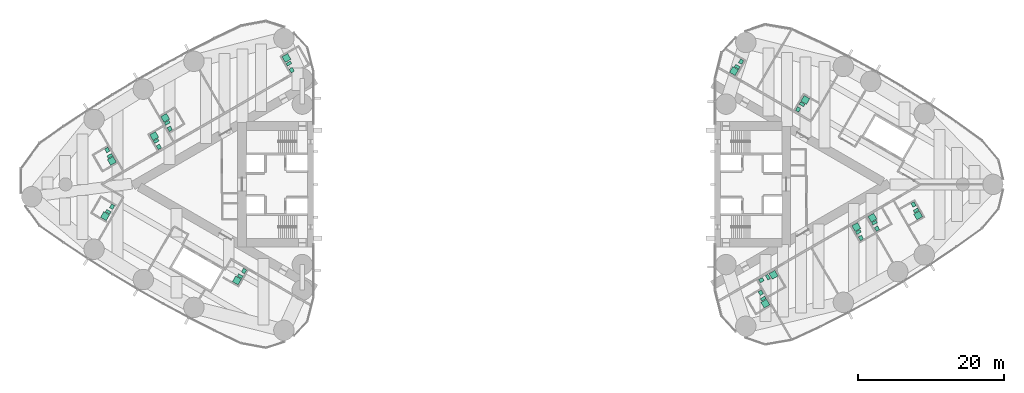
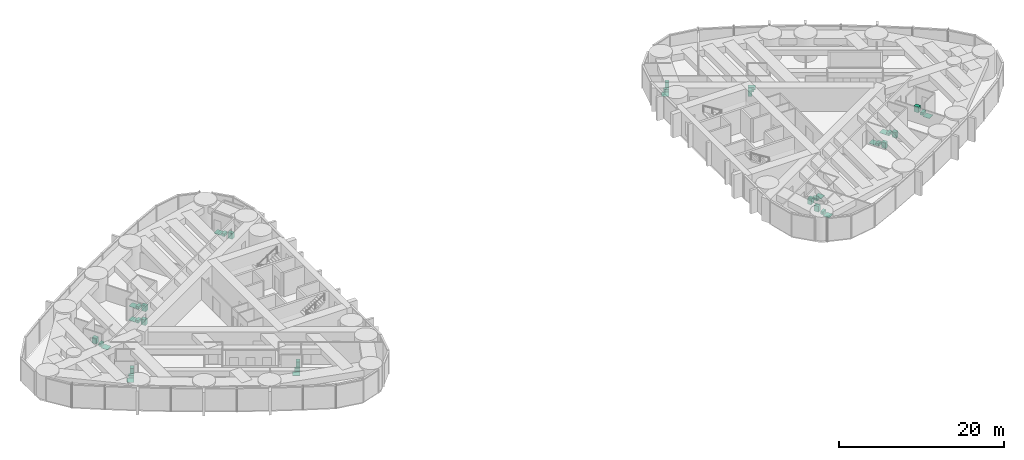
# One storey, part 19 of 19: 17 sanitary terminals.
"""IFC4 building model written with IfcOpenShell, lengths in metres."""

from ifc_helpers import new_model, si_unit, direction, frame, origin, origin_2d, place, context, subcontext, project, spatial, rectangle, extrude, material, type_object, element, save


model = new_model("IFC4")

# Units and contexts
model_context = context("Model", 3, precision=1e-05, world=origin(), true_north=direction((0.0, 1.0)))
body_context = subcontext(model_context, "Body", "Model", "MODEL_VIEW")
ifc_project = project(units=[si_unit("LENGTHUNIT", "METRE"), si_unit("AREAUNIT", "SQUARE_METRE"), si_unit("VOLUMEUNIT", "CUBIC_METRE"), si_unit("PLANEANGLEUNIT", "RADIAN"), si_unit("MASSUNIT", "GRAM", prefix="KILO")], contexts=[model_context])

# Site, building, storey
site_placement = place(None, origin())
site = spatial("IfcSite", under=ifc_project, at=site_placement, CompositionType="ELEMENT")
building_placement = place(site_placement, origin())
building = spatial("IfcBuilding", under=site, at=building_placement, Name="Lancet Gate Hotel", CompositionType="ELEMENT")
storey_placement = place(building_placement, frame((0.0, 0.0, 170.300048828125)))
storey = spatial("IfcBuildingStorey", under=building, at=storey_placement, Name="L45", CompositionType="ELEMENT", Elevation=170.300048828125)

# Sanitary terminals
ifc_material_1 = material(Name="Vitreous china sanitary ware")
sanitary_terminal_type_1 = type_object("IfcSanitaryTerminalType", Name="En-suite sanitary set (shower, WC, basin)", PredefinedType="USERDEFINED", material=ifc_material_1)
sanitary_terminal_1_placement = place(storey_placement, frame((-47.835205078125, 9.1181640625, 0.0), z_axis=(0.0, 0.0, 1.0), x_axis=(1.0, 0.0, 0.0)))
element("IfcSanitaryTerminal", 1, at=sanitary_terminal_1_placement, inside=storey, type_object=sanitary_terminal_type_1, Name="En-suite sanitary set (shower, WC, basin) 4502", ObjectType="EN-SUITE SANITARY SET", PredefinedType="USERDEFINED", context=body_context, shape_type="SweptSolid", body=[
    extrude(rectangle(XDim=0.89990234375, YDim=0.89990234375, at=origin_2d()), frame((0.0, 0.0, 0.0), z_axis=(0.0, 0.0, 1.0), x_axis=(-0.5, 0.866025403784, 0.0)), (0.0, 0.0, 1.0), 0.050048828125),
    extrude(rectangle(XDim=0.39990234375, YDim=0.699951171875, at=origin_2d()), frame((0.2783203125, -0.682373046875, 0.0), z_axis=(0.0, 0.0, 1.0), x_axis=(-0.5, 0.866025403784, 0.0)), (0.0, 0.0, 1.0), 0.39990234375),
    extrude(rectangle(XDim=0.60009765625, YDim=0.5, at=origin_2d()), frame((0.6318359375, -1.494384765625, 0.0), z_axis=(0.0, 0.0, 1.0), x_axis=(-0.5, 0.866025403784, 0.0)), (0.0, 0.0, 1.0), 0.85009765625),
])
sanitary_terminal_2_placement = place(storey_placement, frame((-49.343505859375, 6.630615234375, 0.0), z_axis=(0.0, 0.0, 1.0), x_axis=(1.0, 0.0, 0.0)))
element("IfcSanitaryTerminal", 2, at=sanitary_terminal_2_placement, inside=storey, type_object=sanitary_terminal_type_1, Name="En-suite sanitary set (shower, WC, basin) 4503", ObjectType="EN-SUITE SANITARY SET", PredefinedType="USERDEFINED", context=body_context, shape_type="SweptSolid", body=[
    extrude(rectangle(XDim=0.89990234375, YDim=0.89990234375, at=origin_2d()), frame((0.0, 0.0, 0.0), z_axis=(0.0, 0.0, 1.0), x_axis=(-0.5, 0.866025403784, 0.0)), (0.0, 0.0, 1.0), 0.050048828125),
    extrude(rectangle(XDim=0.39990234375, YDim=0.699951171875, at=origin_2d()), frame((0.2783203125, -0.68212890625, 0.0), z_axis=(0.0, 0.0, 1.0), x_axis=(-0.5, 0.866025403784, 0.0)), (0.0, 0.0, 1.0), 0.39990234375),
    extrude(rectangle(XDim=0.60009765625, YDim=0.5, at=origin_2d()), frame((0.631591796875, -1.494140625, 0.0), z_axis=(0.0, 0.0, 1.0), x_axis=(-0.5, 0.866025403784, 0.0)), (0.0, 0.0, 1.0), 0.85009765625),
])
sanitary_terminal_3_placement = place(storey_placement, frame((-55.1455078125, 3.211669921875, 0.0), z_axis=(0.0, 0.0, 1.0), x_axis=(1.0, 0.0, 0.0)))
element("IfcSanitaryTerminal", 3, at=sanitary_terminal_3_placement, inside=storey, type_object=sanitary_terminal_type_1, Name="En-suite sanitary set (shower, WC, basin) 4504", ObjectType="EN-SUITE SANITARY SET", PredefinedType="USERDEFINED", context=body_context, shape_type="SweptSolid", body=[
    extrude(rectangle(XDim=0.89990234375, YDim=0.89990234375, at=origin_2d()), frame((0.0, 0.0, 0.0), z_axis=(0.0, 0.0, 1.0), x_axis=(0.5, -0.866025403784, 0.0)), (0.0, 0.0, 1.0), 0.050048828125),
    extrude(rectangle(XDim=0.39990234375, YDim=0.699951171875, at=origin_2d()), frame((-0.278564453125, 0.68212890625, 0.0), z_axis=(0.0, 0.0, 1.0), x_axis=(0.5, -0.866025403784, 0.0)), (0.0, 0.0, 1.0), 0.39990234375),
    extrude(rectangle(XDim=0.60009765625, YDim=0.5, at=origin_2d()), frame((-0.6318359375, 1.494140625, 0.0), z_axis=(0.0, 0.0, 1.0), x_axis=(0.5, -0.866025403784, 0.0)), (0.0, 0.0, 1.0), 0.85009765625),
])
sanitary_terminal_4_placement = place(storey_placement, frame((-56.092041015625, -4.35107421875, 0.0), z_axis=(0.0, 0.0, 1.0), x_axis=(1.0, 0.0, 0.0)))
element("IfcSanitaryTerminal", 4, at=sanitary_terminal_4_placement, inside=storey, type_object=sanitary_terminal_type_1, Name="En-suite sanitary set (shower, WC, basin) 4505", ObjectType="EN-SUITE SANITARY SET", PredefinedType="USERDEFINED", context=body_context, shape_type="SweptSolid", body=[
    extrude(rectangle(XDim=0.89990234375, YDim=0.89990234375, at=origin_2d()), frame((0.0, 0.0, 0.0), z_axis=(0.0, 0.0, 1.0), x_axis=(-0.5, -0.866025403784, 0.0)), (0.0, 0.0, 1.0), 0.050048828125),
    extrude(rectangle(XDim=0.39990234375, YDim=0.699951171875, at=origin_2d()), frame((0.45166015625, 0.582275390625, 0.0), z_axis=(0.0, 0.0, 1.0), x_axis=(-0.5, -0.866025403784, 0.0)), (0.0, 0.0, 1.0), 0.39990234375),
    extrude(rectangle(XDim=0.60009765625, YDim=0.5, at=origin_2d()), frame((0.97802734375, 1.29443359375, 0.0), z_axis=(0.0, 0.0, 1.0), x_axis=(-0.5, -0.866025403784, 0.0)), (0.0, 0.0, 1.0), 0.85009765625),
])
sanitary_terminal_5_placement = place(storey_placement, frame((-38.01171875, -13.173095703125, 0.0), z_axis=(0.0, 0.0, 1.0), x_axis=(1.0, 0.0, 0.0)))
element("IfcSanitaryTerminal", 5, at=sanitary_terminal_5_placement, inside=storey, type_object=sanitary_terminal_type_1, Name="En-suite sanitary set (shower, WC, basin) 4508", ObjectType="EN-SUITE SANITARY SET", PredefinedType="USERDEFINED", context=body_context, shape_type="SweptSolid", body=[
    extrude(rectangle(XDim=0.89990234375, YDim=0.89990234375, at=origin_2d()), frame((0.0, 0.0, 0.0), z_axis=(0.0, 0.0, 1.0), x_axis=(-0.5, -0.866025403784, 0.0)), (0.0, 0.0, 1.0), 0.050048828125),
    extrude(rectangle(XDim=0.39990234375, YDim=0.699951171875, at=origin_2d()), frame((0.45166015625, 0.58203125, 0.0), z_axis=(0.0, 0.0, 1.0), x_axis=(-0.5, -0.866025403784, 0.0)), (0.0, 0.0, 1.0), 0.39990234375),
    extrude(rectangle(XDim=0.60009765625, YDim=0.5, at=origin_2d()), frame((0.978271484375, 1.294189453125, 0.0), z_axis=(0.0, 0.0, 1.0), x_axis=(-0.5, -0.866025403784, 0.0)), (0.0, 0.0, 1.0), 0.85009765625),
])
sanitary_terminal_6_placement = place(storey_placement, frame((34.43994140625, -16.351806640625, 0.0), z_axis=(0.0, 0.0, 1.0), x_axis=(1.0, 0.0, 0.0)))
element("IfcSanitaryTerminal", 6, at=sanitary_terminal_6_placement, inside=storey, type_object=sanitary_terminal_type_1, Name="En-suite sanitary set (shower, WC, basin) 4551", ObjectType="EN-SUITE SANITARY SET", PredefinedType="USERDEFINED", context=body_context, shape_type="SweptSolid", body=[
    extrude(rectangle(XDim=0.89990234375, YDim=0.89990234375, at=origin_2d()), frame((0.0, 0.0, 0.0), z_axis=(0.0, 0.0, 1.0), x_axis=(0.5, -0.866025403784, 0.0)), (0.0, 0.0, 1.0), 0.050048828125),
    extrude(rectangle(XDim=0.39990234375, YDim=0.699951171875, at=origin_2d()), frame((-0.2783203125, 0.68212890625, 0.0), z_axis=(0.0, 0.0, 1.0), x_axis=(0.5, -0.866025403784, 0.0)), (0.0, 0.0, 1.0), 0.39990234375),
    extrude(rectangle(XDim=0.60009765625, YDim=0.5, at=origin_2d()), frame((-0.6318359375, 1.494140625, 0.0), z_axis=(0.0, 0.0, 1.0), x_axis=(0.5, -0.866025403784, 0.0)), (0.0, 0.0, 1.0), 0.85009765625),
])
sanitary_terminal_7_placement = place(storey_placement, frame((46.909912109375, -5.849853515625, 0.0), z_axis=(0.0, 0.0, 1.0), x_axis=(1.0, 0.0, 0.0)))
element("IfcSanitaryTerminal", 7, at=sanitary_terminal_7_placement, inside=storey, type_object=sanitary_terminal_type_1, Name="En-suite sanitary set (shower, WC, basin) 4554", ObjectType="EN-SUITE SANITARY SET", PredefinedType="USERDEFINED", context=body_context, shape_type="SweptSolid", body=[
    extrude(rectangle(XDim=0.89990234375, YDim=0.89990234375, at=origin_2d()), frame((0.0, 0.0, 0.0), z_axis=(0.0, 0.0, 1.0), x_axis=(-0.5, 0.866025403784, 0.0)), (0.0, 0.0, 1.0), 0.050048828125),
    extrude(rectangle(XDim=0.39990234375, YDim=0.699951171875, at=origin_2d()), frame((0.2783203125, -0.68212890625, 0.0), z_axis=(0.0, 0.0, 1.0), x_axis=(-0.5, 0.866025403784, 0.0)), (0.0, 0.0, 1.0), 0.39990234375),
    extrude(rectangle(XDim=0.60009765625, YDim=0.5, at=origin_2d()), frame((0.6318359375, -1.494384765625, 0.0), z_axis=(0.0, 0.0, 1.0), x_axis=(-0.5, 0.866025403784, 0.0)), (0.0, 0.0, 1.0), 0.85009765625),
])
sanitary_terminal_8_placement = place(storey_placement, frame((49.118408203125, -4.574951171875, 0.0), z_axis=(0.0, 0.0, 1.0), x_axis=(1.0, 0.0, 0.0)))
element("IfcSanitaryTerminal", 8, at=sanitary_terminal_8_placement, inside=storey, type_object=sanitary_terminal_type_1, Name="En-suite sanitary set (shower, WC, basin) 4556", ObjectType="EN-SUITE SANITARY SET", PredefinedType="USERDEFINED", context=body_context, shape_type="SweptSolid", body=[
    extrude(rectangle(XDim=0.89990234375, YDim=0.89990234375, at=origin_2d()), frame((0.0, 0.0, 0.0), z_axis=(0.0, 0.0, 1.0), x_axis=(-0.5, 0.866025403784, 0.0)), (0.0, 0.0, 1.0), 0.050048828125),
    extrude(rectangle(XDim=0.39990234375, YDim=0.699951171875, at=origin_2d()), frame((0.2783203125, -0.68212890625, 0.0), z_axis=(0.0, 0.0, 1.0), x_axis=(-0.5, 0.866025403784, 0.0)), (0.0, 0.0, 1.0), 0.39990234375),
    extrude(rectangle(XDim=0.60009765625, YDim=0.5, at=origin_2d()), frame((0.631591796875, -1.494140625, 0.0), z_axis=(0.0, 0.0, 1.0), x_axis=(-0.5, 0.866025403784, 0.0)), (0.0, 0.0, 1.0), 0.85009765625),
])
sanitary_terminal_9_placement = place(storey_placement, frame((55.39013671875, -4.25634765625, 0.0), z_axis=(0.0, 0.0, 1.0), x_axis=(1.0, 0.0, 0.0)))
element("IfcSanitaryTerminal", 9, at=sanitary_terminal_9_placement, inside=storey, type_object=sanitary_terminal_type_1, Name="En-suite sanitary set (shower, WC, basin) 4557", ObjectType="EN-SUITE SANITARY SET", PredefinedType="USERDEFINED", context=body_context, shape_type="SweptSolid", body=[
    extrude(rectangle(XDim=0.89990234375, YDim=0.89990234375, at=origin_2d()), frame((0.0, 0.0, 0.0), z_axis=(0.0, 0.0, 1.0), x_axis=(0.5, -0.866025403784, 0.0)), (0.0, 0.0, 1.0), 0.050048828125),
    extrude(rectangle(XDim=0.39990234375, YDim=0.699951171875, at=origin_2d()), frame((-0.2783203125, 0.68212890625, 0.0), z_axis=(0.0, 0.0, 1.0), x_axis=(0.5, -0.866025403784, 0.0)), (0.0, 0.0, 1.0), 0.39990234375),
    extrude(rectangle(XDim=0.60009765625, YDim=0.5, at=origin_2d()), frame((-0.6318359375, 1.494384765625, 0.0), z_axis=(0.0, 0.0, 1.0), x_axis=(0.5, -0.866025403784, 0.0)), (0.0, 0.0, 1.0), 0.85009765625),
])
sanitary_terminal_10_placement = place(storey_placement, frame((39.91796875, 11.572509765625, 0.0), z_axis=(0.0, 0.0, 1.0), x_axis=(1.0, 0.0, 0.0)))
element("IfcSanitaryTerminal", 10, at=sanitary_terminal_10_placement, inside=storey, type_object=sanitary_terminal_type_1, Name="En-suite sanitary set (shower, WC, basin) 4562", ObjectType="EN-SUITE SANITARY SET", PredefinedType="USERDEFINED", context=body_context, shape_type="SweptSolid", body=[
    extrude(rectangle(XDim=0.89990234375, YDim=0.89990234375, at=origin_2d()), frame((0.0, 0.0, 0.0), z_axis=(0.0, 0.0, 1.0), x_axis=(0.5, 0.866025403784, 0.0)), (0.0, 0.0, 1.0), 0.050048828125),
    extrude(rectangle(XDim=0.39990234375, YDim=0.699951171875, at=origin_2d()), frame((-0.45166015625, -0.582275390625, 0.0), z_axis=(0.0, 0.0, 1.0), x_axis=(0.5, 0.866025403784, 0.0)), (0.0, 0.0, 1.0), 0.39990234375),
    extrude(rectangle(XDim=0.60009765625, YDim=0.5, at=origin_2d()), frame((-0.978271484375, -1.294189453125, 0.0), z_axis=(0.0, 0.0, 1.0), x_axis=(0.5, 0.866025403784, 0.0)), (0.0, 0.0, 1.0), 0.85009765625),
])
sanitary_terminal_11_placement = place(storey_placement, frame((30.13916015625, 15.532470703125, 0.0), z_axis=(0.0, 0.0, 1.0), x_axis=(1.0, 0.0, 0.0)))
element("IfcSanitaryTerminal", 11, at=sanitary_terminal_11_placement, inside=storey, type_object=sanitary_terminal_type_1, Name="En-suite sanitary set (shower, WC, basin) 4564", ObjectType="EN-SUITE SANITARY SET", PredefinedType="USERDEFINED", context=body_context, shape_type="SweptSolid", body=[
    extrude(rectangle(XDim=0.89990234375, YDim=0.89990234375, at=origin_2d()), frame((0.0, 0.0, 0.0), z_axis=(0.0, 0.0, 1.0), x_axis=(-0.5, -0.866025403784, 0.0)), (0.0, 0.0, 1.0), 0.050048828125),
    extrude(rectangle(XDim=0.39990234375, YDim=0.699951171875, at=origin_2d()), frame((0.45166015625, 0.582275390625, 0.0), z_axis=(0.0, 0.0, 1.0), x_axis=(-0.5, -0.866025403784, 0.0)), (0.0, 0.0, 1.0), 0.39990234375),
    extrude(rectangle(XDim=0.60009765625, YDim=0.5, at=origin_2d()), frame((0.97802734375, 1.29443359375, 0.0), z_axis=(0.0, 0.0, 1.0), x_axis=(-0.5, -0.866025403784, 0.0)), (0.0, 0.0, 1.0), 0.85009765625),
])
ifc_material_2 = material(Name="Stone resin shower tray", Category="masonry")
sanitary_terminal_type_2 = type_object("IfcSanitaryTerminalType", Name="Shower tray 900", PredefinedType="SHOWER", material=ifc_material_2)
for number, where, z_axis, x_axis, name in (
    (12, (-31.216064453125, 17.327392578125, 0.0), (0.0, 0.0, 1.0), (-0.5, 0.866025403784, 0.0), "Shower tray 900 4501"),
    (13, (35.564697265625, -12.39990234375, 0.0), (0.0, 0.0, 1.0), (0.866025403784, 0.5, 0.0), "Shower tray 900 4552"),
):
    element("IfcSanitaryTerminal", number, at=place(storey_placement, frame(where, z_axis=z_axis, x_axis=x_axis)), inside=storey, type_object=sanitary_terminal_type_2, Name=name, PredefinedType="SHOWER", context=body_context, shape_type="SweptSolid", body=[
        extrude(rectangle(XDim=0.89990234375, YDim=0.89990234375, at=origin_2d()), origin(), (0.0, 0.0, 1.0), 0.050048828125),
    ])
ifc_material_3 = material(Name="Vitreous china sanitary ware")
sanitary_terminal_type_3 = type_object("IfcSanitaryTerminalType", Name="Vanity basin 600", PredefinedType="WASHHANDBASIN", material=ifc_material_3)
for number, where, z_axis, x_axis, name in (
    (14, (-30.484375, 15.659912109375, 0.0), (0.0, 0.0, 1.0), (-0.5, 0.866025403784, 0.0), "Vanity basin 600 4501"),
    (15, (33.897216796875, -13.1318359375, 0.0), (0.0, 0.0, 1.0), (0.866025403784, 0.5, 0.0), "Vanity basin 600 4552"),
):
    element("IfcSanitaryTerminal", number, at=place(storey_placement, frame(where, z_axis=z_axis, x_axis=x_axis)), inside=storey, type_object=sanitary_terminal_type_3, Name=name, PredefinedType="WASHHANDBASIN", context=body_context, shape_type="SweptSolid", body=[
        extrude(rectangle(XDim=0.60009765625, YDim=0.5, at=origin_2d()), origin(), (0.0, 0.0, 1.0), 0.85009765625),
    ])
ifc_material_4 = material(Name="Vitreous china sanitary ware")
sanitary_terminal_type_4 = type_object("IfcSanitaryTerminalType", Name="WC pan wall hung", PredefinedType="TOILETPAN", material=ifc_material_4)
for number, where, z_axis, x_axis, name in (
    (16, (-30.8876953125, 16.55859375, 0.0), (0.0, 0.0, 1.0), (-0.5, 0.866025403784, 0.0), "WC pan wall hung 4501"),
    (17, (34.7958984375, -12.728515625, 0.0), (0.0, 0.0, 1.0), (0.866025403784, 0.5, 0.0), "WC pan wall hung 4552"),
):
    element("IfcSanitaryTerminal", number, at=place(storey_placement, frame(where, z_axis=z_axis, x_axis=x_axis)), inside=storey, type_object=sanitary_terminal_type_4, Name=name, PredefinedType="TOILETPAN", context=body_context, shape_type="SweptSolid", body=[
        extrude(rectangle(XDim=0.39990234375, YDim=0.699951171875, at=origin_2d()), origin(), (0.0, 0.0, 1.0), 0.39990234375),
    ])

save(model, "model.ifc")
